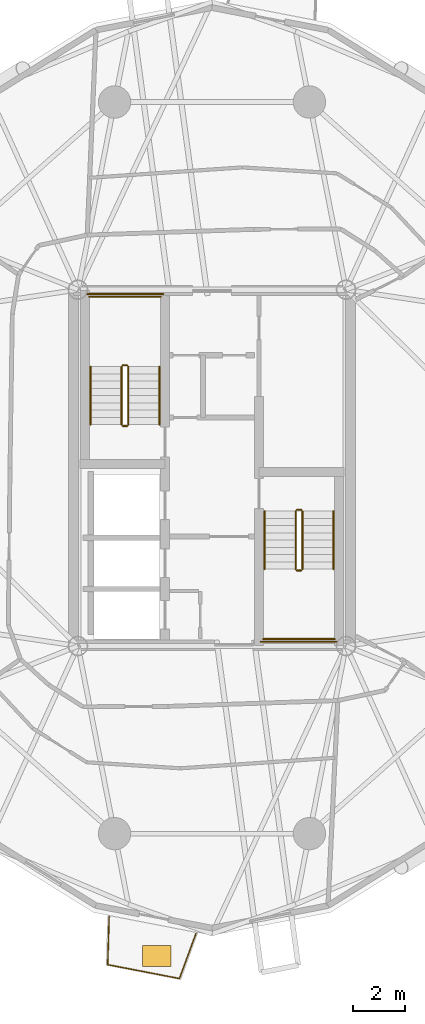
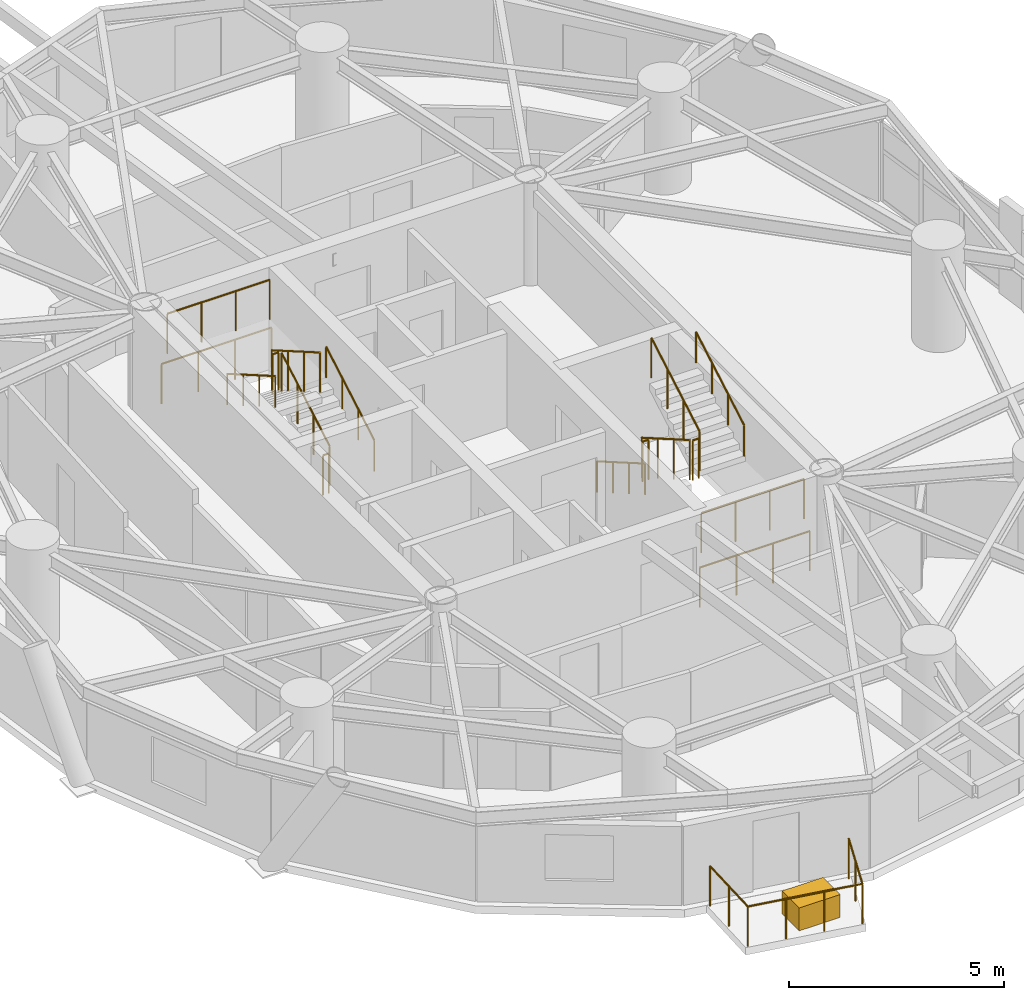
# One storey, part 17 of 19: 17 railings, 1 covering.
"""IFC4 building model written with IfcOpenShell, lengths in metres."""

from ifc_helpers import new_model, si_unit, direction, frame, origin, origin_2d, place, context, subcontext, project, spatial, rectangle, circle, extrude, source, transform, mapped, material, layer, layer_set, type_object, element, save


model = new_model("IFC4")

# Units and contexts
model_context = context("Model", 3, precision=1e-05, world=origin(), true_north=direction((0.0, 1.0)))
body_context = subcontext(model_context, "Body", "Model", "MODEL_VIEW")
ifc_project = project(units=[si_unit("LENGTHUNIT", "METRE"), si_unit("AREAUNIT", "SQUARE_METRE"), si_unit("VOLUMEUNIT", "CUBIC_METRE"), si_unit("PLANEANGLEUNIT", "RADIAN"), si_unit("MASSUNIT", "GRAM", prefix="KILO")], contexts=[model_context])

# Site, building, storey
site_placement = place(None, origin())
site = spatial("IfcSite", under=ifc_project, at=site_placement, CompositionType="ELEMENT")
building_placement = place(site_placement, origin())
building = spatial("IfcBuilding", under=site, at=building_placement, Name="Cununo Teusaquillo Station Towers", CompositionType="ELEMENT")
storey_placement = place(building_placement, frame((0.0, 0.0, 160.330078125)))
storey = spatial("IfcBuildingStorey", under=building, at=storey_placement, Name="L50", CompositionType="ELEMENT", Elevation=160.330078125)

# Railings
ifc_material_1 = material(Name="Anodised dark bronze aluminium EN AW-6063-T6", Category="aluminium")
railing_type_1 = type_object("IfcRailingType", Name="RL-EXT-GUARD", PredefinedType="GUARDRAIL", material=ifc_material_1)
railing_1_placement = place(storey_placement, frame((15.882568359375, 6.525390625, 0.0)))
element("IfcRailing", 1, at=railing_1_placement, inside=storey, type_object=railing_type_1, Name="L50 Tower A Balcony Guardrail C14", PredefinedType="GUARDRAIL", context=body_context, shape_type="SweptSolid", body=[
    extrude(circle(Radius=0.02392578125, at=origin_2d()), frame((0.0, 0.0, 1.1259765625), z_axis=(-0.344127190422, -0.938923040942, 0.0), x_axis=(0.938923040942, -0.344127190422, 0.0)), (0.0, 0.0, 1.0), 1.857421875),
    extrude(circle(Radius=0.02392578125, at=origin_2d()), frame((-0.63916015625, -1.743896484375, 1.1259765625), z_axis=(-0.981837596309, 0.18972331031, 0.0), x_axis=(-0.18972331031, -0.981837596309, 0.0)), (0.0, 0.0, 1.0), 2.822021484375),
    extrude(circle(Radius=0.02392578125, at=origin_2d()), frame((-3.409912109375, -1.20849609375, 1.1259765625), z_axis=(0.030492060761, 0.999535009007, 0.0), x_axis=(-0.999535009007, 0.030492060761, 0.0)), (0.0, 0.0, 1.0), 1.857666015625),
    extrude(circle(Radius=0.02099609375, at=origin_2d()), origin(), (0.0, 0.0, 1.0), 1.101806640625),
    extrude(circle(Radius=0.02099609375, at=origin_2d()), frame((-0.319580078125, -0.8720703125, 0.0)), (0.0, 0.0, 1.0), 1.101806640625),
    extrude(circle(Radius=0.02099609375, at=origin_2d()), frame((-0.63916015625, -1.743896484375, 0.0)), (0.0, 0.0, 1.0), 1.101806640625),
    extrude(circle(Radius=0.02099609375, at=origin_2d()), frame((-1.562744140625, -1.5654296875, 0.0)), (0.0, 0.0, 1.0), 1.101806640625),
    extrude(circle(Radius=0.02099609375, at=origin_2d()), frame((-2.486328125, -1.386962890625, 0.0)), (0.0, 0.0, 1.0), 1.101806640625),
    extrude(circle(Radius=0.02099609375, at=origin_2d()), frame((-3.409912109375, -1.20849609375, 0.0)), (0.0, 0.0, 1.0), 1.101806640625),
    extrude(circle(Radius=0.02099609375, at=origin_2d()), frame((-3.381591796875, -0.2802734375, 0.0)), (0.0, 0.0, 1.0), 1.101806640625),
    extrude(circle(Radius=0.02099609375, at=origin_2d()), frame((-3.353271484375, 0.648193359375, 0.0)), (0.0, 0.0, 1.0), 1.101806640625),
])
ifc_material_2 = material(Name="Steel EN 10025-2 S355J2", Category="steel")
railing_type_2 = type_object("IfcRailingType", Name="RL-INT-GUARD", PredefinedType="GUARDRAIL", material=ifc_material_2)
railing_2_placement = place(storey_placement, frame((13.27001953125, 26.169921875, 0.16162109375)))
element("IfcRailing", 2, at=railing_2_placement, inside=storey, type_object=railing_type_2, Name="L50 ST-T1-1 stair guard 1", PredefinedType="GUARDRAIL", context=body_context, shape_type="SweptSolid", body=[
    extrude(circle(Radius=0.02392578125, at=origin_2d()), frame((0.0, 0.0, 1.1259765625), z_axis=(0.0, 0.866033117094, 0.499986639918), x_axis=(-1.0, 0.0, 0.0)), (0.0, 0.0, 1.0), 2.58642578125),
    extrude(circle(Radius=0.02099609375, at=origin_2d()), origin(), (0.0, 0.0, 1.0), 1.101806640625),
    extrude(circle(Radius=0.02099609375, at=origin_2d()), frame((0.0, 0.74658203125, 0.43115234375)), (0.0, 0.0, 1.0), 1.101806640625),
    extrude(circle(Radius=0.02099609375, at=origin_2d()), frame((0.0, 1.493408203125, 0.862060546875)), (0.0, 0.0, 1.0), 1.101806640625),
    extrude(circle(Radius=0.02099609375, at=origin_2d()), frame((0.0, 2.239990234375, 1.293212890625)), (0.0, 0.0, 1.0), 1.101806640625),
])
railing_3_placement = place(storey_placement, frame((13.219970703125, 28.4599609375, 1.454833984375)))
element("IfcRailing", 3, at=railing_3_placement, inside=storey, type_object=railing_type_2, Name="L50 ST-T1-1 stair guard 2", PredefinedType="GUARDRAIL", context=body_context, shape_type="SweptSolid", body=[
    extrude(circle(Radius=0.02392578125, at=origin_2d()), frame((0.0, 0.0, 1.1259765625), z_axis=(-1.0, 0.0, 0.0), x_axis=(0.0, -1.0, 0.0)), (0.0, 0.0, 1.0), 0.159912109375),
    extrude(circle(Radius=0.02099609375, at=origin_2d()), origin(), (0.0, 0.0, 1.0), 1.101806640625),
    extrude(circle(Radius=0.02099609375, at=origin_2d()), frame((-0.159912109375, 0.0, 0.0)), (0.0, 0.0, 1.0), 1.101806640625),
])
railing_4_placement = place(storey_placement, frame((14.52001953125, 31.110107421875, 1.454833984375)))
element("IfcRailing", 4, at=railing_4_placement, inside=storey, type_object=railing_type_2, Name="L50 ST-T1-1 stair guard 3", PredefinedType="GUARDRAIL", context=body_context, shape_type="SweptSolid", body=[
    extrude(circle(Radius=0.02392578125, at=origin_2d()), frame((0.0, 0.0, 1.1259765625), z_axis=(-1.0, 0.0, 0.0), x_axis=(0.0, -1.0, 0.0)), (0.0, 0.0, 1.0), 2.760009765625),
    extrude(circle(Radius=0.02099609375, at=origin_2d()), origin(), (0.0, 0.0, 1.0), 1.101806640625),
    extrude(circle(Radius=0.02099609375, at=origin_2d()), frame((-0.919921875, 0.0, 0.0)), (0.0, 0.0, 1.0), 1.101806640625),
    extrude(circle(Radius=0.02099609375, at=origin_2d()), frame((-1.840087890625, 0.0, 0.0)), (0.0, 0.0, 1.0), 1.101806640625),
    extrude(circle(Radius=0.02099609375, at=origin_2d()), frame((-2.760009765625, 0.0, 0.0)), (0.0, 0.0, 1.0), 1.101806640625),
])
railing_5_placement = place(storey_placement, frame((13.010009765625, 28.409912109375, 1.61669921875)))
element("IfcRailing", 5, at=railing_5_placement, inside=storey, type_object=railing_type_2, Name="L50 ST-T1-1 stair guard 4", PredefinedType="GUARDRAIL", context=body_context, shape_type="SweptSolid", body=[
    extrude(circle(Radius=0.02392578125, at=origin_2d()), frame((0.0, 0.0, 1.1259765625), z_axis=(0.0, -0.866033117094, 0.499986639918), x_axis=(1.0, 0.0, 0.0)), (0.0, 0.0, 1.0), 2.58642578125),
    extrude(circle(Radius=0.02099609375, at=origin_2d()), origin(), (0.0, 0.0, 1.0), 1.101806640625),
    extrude(circle(Radius=0.02099609375, at=origin_2d()), frame((0.0, -0.74658203125, 0.43115234375)), (0.0, 0.0, 1.0), 1.101806640625),
    extrude(circle(Radius=0.02099609375, at=origin_2d()), frame((0.0, -1.493408203125, 0.862060546875)), (0.0, 0.0, 1.0), 1.101806640625),
    extrude(circle(Radius=0.02099609375, at=origin_2d()), frame((0.0, -2.239990234375, 1.293212890625)), (0.0, 0.0, 1.0), 1.101806640625),
])
railing_6_placement = place(storey_placement, frame((13.219970703125, 26.1201171875, 0.0)))
element("IfcRailing", 6, at=railing_6_placement, inside=storey, type_object=railing_type_2, Name="L50 ST-T1-1 stair guard 5", PredefinedType="GUARDRAIL", context=body_context, shape_type="SweptSolid", body=[
    extrude(circle(Radius=0.02392578125, at=origin_2d()), frame((0.0, 0.0, 1.1259765625), z_axis=(-1.0, 0.0, 0.0), x_axis=(0.0, -1.0, 0.0)), (0.0, 0.0, 1.0), 0.159912109375),
    extrude(circle(Radius=0.02099609375, at=origin_2d()), origin(), (0.0, 0.0, 1.0), 1.101806640625),
    extrude(circle(Radius=0.02099609375, at=origin_2d()), frame((-0.159912109375, 0.0, 0.0)), (0.0, 0.0, 1.0), 1.101806640625),
])
railing_7_placement = place(storey_placement, frame((14.6201171875, 31.2099609375, 0.0)))
element("IfcRailing", 7, at=railing_7_placement, inside=storey, type_object=railing_type_2, Name="L50 ST-T1-1 stair guard 6", PredefinedType="GUARDRAIL", context=body_context, shape_type="SweptSolid", body=[
    extrude(circle(Radius=0.02392578125, at=origin_2d()), frame((0.0, 0.0, 1.1259765625), z_axis=(-1.0, 0.0, 0.0), x_axis=(0.0, -1.0, 0.0)), (0.0, 0.0, 1.0), 2.960205078125),
    extrude(circle(Radius=0.02099609375, at=origin_2d()), origin(), (0.0, 0.0, 1.0), 1.101806640625),
    extrude(circle(Radius=0.02099609375, at=origin_2d()), frame((-0.98681640625, 0.0, 0.0)), (0.0, 0.0, 1.0), 1.101806640625),
    extrude(circle(Radius=0.02099609375, at=origin_2d()), frame((-1.973388671875, 0.0, 0.0)), (0.0, 0.0, 1.0), 1.101806640625),
    extrude(circle(Radius=0.02099609375, at=origin_2d()), frame((-2.960205078125, 0.0, 0.0)), (0.0, 0.0, 1.0), 1.101806640625),
])
railing_8_placement = place(storey_placement, frame((19.72998046875, 22.830078125, 0.16162109375)))
element("IfcRailing", 8, at=railing_8_placement, inside=storey, type_object=railing_type_2, Name="L50 ST-T1-2 stair guard 1", PredefinedType="GUARDRAIL", context=body_context, shape_type="SweptSolid", body=[
    extrude(circle(Radius=0.02392578125, at=origin_2d()), frame((0.0, 0.0, 1.1259765625), z_axis=(0.0, -0.866033117094, 0.499986639918), x_axis=(1.0, 0.0, 0.0)), (0.0, 0.0, 1.0), 2.58642578125),
    extrude(circle(Radius=0.02099609375, at=origin_2d()), origin(), (0.0, 0.0, 1.0), 1.101806640625),
    extrude(circle(Radius=0.02099609375, at=origin_2d()), frame((0.0, -0.74658203125, 0.43115234375)), (0.0, 0.0, 1.0), 1.101806640625),
    extrude(circle(Radius=0.02099609375, at=origin_2d()), frame((0.0, -1.493408203125, 0.862060546875)), (0.0, 0.0, 1.0), 1.101806640625),
    extrude(circle(Radius=0.02099609375, at=origin_2d()), frame((0.0, -2.239990234375, 1.293212890625)), (0.0, 0.0, 1.0), 1.101806640625),
])
railing_9_placement = place(storey_placement, frame((19.780029296875, 20.5400390625, 1.454833984375)))
element("IfcRailing", 9, at=railing_9_placement, inside=storey, type_object=railing_type_2, Name="L50 ST-T1-2 stair guard 2", PredefinedType="GUARDRAIL", context=body_context, shape_type="SweptSolid", body=[
    extrude(circle(Radius=0.02392578125, at=origin_2d()), frame((0.0, 0.0, 1.1259765625), z_axis=(1.0, 0.0, 0.0), x_axis=(0.0, 1.0, 0.0)), (0.0, 0.0, 1.0), 0.159912109375),
    extrude(circle(Radius=0.02099609375, at=origin_2d()), origin(), (0.0, 0.0, 1.0), 1.101806640625),
    extrude(circle(Radius=0.02099609375, at=origin_2d()), frame((0.159912109375, 0.0, 0.0)), (0.0, 0.0, 1.0), 1.101806640625),
])
railing_10_placement = place(storey_placement, frame((18.47998046875, 17.889892578125, 1.454833984375)))
element("IfcRailing", 10, at=railing_10_placement, inside=storey, type_object=railing_type_2, Name="L50 ST-T1-2 stair guard 3", PredefinedType="GUARDRAIL", context=body_context, shape_type="SweptSolid", body=[
    extrude(circle(Radius=0.02392578125, at=origin_2d()), frame((0.0, 0.0, 1.1259765625), z_axis=(1.0, 0.0, 0.0), x_axis=(0.0, 1.0, 0.0)), (0.0, 0.0, 1.0), 2.760009765625),
    extrude(circle(Radius=0.02099609375, at=origin_2d()), origin(), (0.0, 0.0, 1.0), 1.101806640625),
    extrude(circle(Radius=0.02099609375, at=origin_2d()), frame((0.919921875, 0.0, 0.0)), (0.0, 0.0, 1.0), 1.101806640625),
    extrude(circle(Radius=0.02099609375, at=origin_2d()), frame((1.840087890625, 0.0, 0.0)), (0.0, 0.0, 1.0), 1.101806640625),
    extrude(circle(Radius=0.02099609375, at=origin_2d()), frame((2.760009765625, 0.0, 0.0)), (0.0, 0.0, 1.0), 1.101806640625),
])
railing_11_placement = place(storey_placement, frame((19.989990234375, 20.590087890625, 1.61669921875)))
element("IfcRailing", 11, at=railing_11_placement, inside=storey, type_object=railing_type_2, Name="L50 ST-T1-2 stair guard 4", PredefinedType="GUARDRAIL", context=body_context, shape_type="SweptSolid", body=[
    extrude(circle(Radius=0.02392578125, at=origin_2d()), frame((0.0, 0.0, 1.1259765625), z_axis=(0.0, 0.866033117094, 0.499986639918), x_axis=(-1.0, 0.0, 0.0)), (0.0, 0.0, 1.0), 2.58642578125),
    extrude(circle(Radius=0.02099609375, at=origin_2d()), origin(), (0.0, 0.0, 1.0), 1.101806640625),
    extrude(circle(Radius=0.02099609375, at=origin_2d()), frame((0.0, 0.74658203125, 0.43115234375)), (0.0, 0.0, 1.0), 1.101806640625),
    extrude(circle(Radius=0.02099609375, at=origin_2d()), frame((0.0, 1.493408203125, 0.862060546875)), (0.0, 0.0, 1.0), 1.101806640625),
    extrude(circle(Radius=0.02099609375, at=origin_2d()), frame((0.0, 2.239990234375, 1.293212890625)), (0.0, 0.0, 1.0), 1.101806640625),
])
railing_12_placement = place(storey_placement, frame((19.780029296875, 22.8798828125, 0.0)))
element("IfcRailing", 12, at=railing_12_placement, inside=storey, type_object=railing_type_2, Name="L50 ST-T1-2 stair guard 5", PredefinedType="GUARDRAIL", context=body_context, shape_type="SweptSolid", body=[
    extrude(circle(Radius=0.02392578125, at=origin_2d()), frame((0.0, 0.0, 1.1259765625), z_axis=(1.0, 0.0, 0.0), x_axis=(0.0, 1.0, 0.0)), (0.0, 0.0, 1.0), 0.159912109375),
    extrude(circle(Radius=0.02099609375, at=origin_2d()), origin(), (0.0, 0.0, 1.0), 1.101806640625),
    extrude(circle(Radius=0.02099609375, at=origin_2d()), frame((0.159912109375, 0.0, 0.0)), (0.0, 0.0, 1.0), 1.101806640625),
])
railing_13_placement = place(storey_placement, frame((18.3798828125, 17.7900390625, 0.0)))
element("IfcRailing", 13, at=railing_13_placement, inside=storey, type_object=railing_type_2, Name="L50 ST-T1-2 stair guard 6", PredefinedType="GUARDRAIL", context=body_context, shape_type="SweptSolid", body=[
    extrude(circle(Radius=0.02392578125, at=origin_2d()), frame((0.0, 0.0, 1.1259765625), z_axis=(1.0, 0.0, 0.0), x_axis=(0.0, 1.0, 0.0)), (0.0, 0.0, 1.0), 2.960205078125),
    extrude(circle(Radius=0.02099609375, at=origin_2d()), origin(), (0.0, 0.0, 1.0), 1.101806640625),
    extrude(circle(Radius=0.02099609375, at=origin_2d()), frame((0.98681640625, 0.0, 0.0)), (0.0, 0.0, 1.0), 1.101806640625),
    extrude(circle(Radius=0.02099609375, at=origin_2d()), frame((1.973388671875, 0.0, 0.0)), (0.0, 0.0, 1.0), 1.101806640625),
    extrude(circle(Radius=0.02099609375, at=origin_2d()), frame((2.960205078125, 0.0, 0.0)), (0.0, 0.0, 1.0), 1.101806640625),
])
ifc_material_3 = material(Name="Steel EN 10025-2 S355J2", Category="steel")
railing_type_3 = type_object("IfcRailingType", Name="RL-INT-HRAIL", PredefinedType="HANDRAIL", material=ifc_material_3)
railing_14_placement = place(storey_placement, frame((14.469970703125, 26.169921875, 0.16162109375)))
element("IfcRailing", 14, at=railing_14_placement, inside=storey, type_object=railing_type_3, Name="L50 ST-T1-1 stair handrail 1", PredefinedType="HANDRAIL", context=body_context, shape_type="SweptSolid", body=[
    extrude(circle(Radius=0.02392578125, at=origin_2d()), frame((0.0, 0.0, 0.8759765625), z_axis=(0.0, 0.866033117094, 0.499986639918), x_axis=(-1.0, 0.0, 0.0)), (0.0, 0.0, 1.0), 2.58642578125),
    extrude(circle(Radius=0.02099609375, at=origin_2d()), origin(), (0.0, 0.0, 1.0), 0.851806640625),
    extrude(circle(Radius=0.02099609375, at=origin_2d()), frame((0.0, 0.74658203125, 0.43115234375)), (0.0, 0.0, 1.0), 0.851806640625),
    extrude(circle(Radius=0.02099609375, at=origin_2d()), frame((0.0, 1.493408203125, 0.862060546875)), (0.0, 0.0, 1.0), 0.851806640625),
    extrude(circle(Radius=0.02099609375, at=origin_2d()), frame((0.0, 2.239990234375, 1.293212890625)), (0.0, 0.0, 1.0), 0.851806640625),
])
for number, where, name in (
    (15, (11.81005859375, 28.409912109375, 1.61669921875), "L50 ST-T1-1 stair handrail 2"),
    (16, (18.530029296875, 22.830078125, 0.16162109375), "L50 ST-T1-2 stair handrail 1"),
):
    element("IfcRailing", number, at=place(storey_placement, frame(where)), inside=storey, type_object=railing_type_3, Name=name, PredefinedType="HANDRAIL", context=body_context, shape_type="SweptSolid", body=[
        extrude(circle(Radius=0.02392578125, at=origin_2d()), frame((0.0, 0.0, 0.8759765625), z_axis=(0.0, -0.866033117094, 0.499986639918), x_axis=(1.0, 0.0, 0.0)), (0.0, 0.0, 1.0), 2.58642578125),
        extrude(circle(Radius=0.02099609375, at=origin_2d()), origin(), (0.0, 0.0, 1.0), 0.851806640625),
        extrude(circle(Radius=0.02099609375, at=origin_2d()), frame((0.0, -0.74658203125, 0.43115234375)), (0.0, 0.0, 1.0), 0.851806640625),
        extrude(circle(Radius=0.02099609375, at=origin_2d()), frame((0.0, -1.493408203125, 0.862060546875)), (0.0, 0.0, 1.0), 0.851806640625),
        extrude(circle(Radius=0.02099609375, at=origin_2d()), frame((0.0, -2.239990234375, 1.293212890625)), (0.0, 0.0, 1.0), 0.851806640625),
    ])
railing_15_placement = place(storey_placement, frame((21.18994140625, 20.590087890625, 1.61669921875)))
element("IfcRailing", 17, at=railing_15_placement, inside=storey, type_object=railing_type_3, Name="L50 ST-T1-2 stair handrail 2", PredefinedType="HANDRAIL", context=body_context, shape_type="SweptSolid", body=[
    extrude(circle(Radius=0.02392578125, at=origin_2d()), frame((0.0, 0.0, 0.8759765625), z_axis=(0.0, 0.866033117094, 0.499986639918), x_axis=(-1.0, 0.0, 0.0)), (0.0, 0.0, 1.0), 2.58642578125),
    extrude(circle(Radius=0.02099609375, at=origin_2d()), origin(), (0.0, 0.0, 1.0), 0.851806640625),
    extrude(circle(Radius=0.02099609375, at=origin_2d()), frame((0.0, 0.74658203125, 0.43115234375)), (0.0, 0.0, 1.0), 0.851806640625),
    extrude(circle(Radius=0.02099609375, at=origin_2d()), frame((0.0, 1.493408203125, 0.862060546875)), (0.0, 0.0, 1.0), 0.851806640625),
    extrude(circle(Radius=0.02099609375, at=origin_2d()), frame((0.0, 2.239990234375, 1.293212890625)), (0.0, 0.0, 1.0), 0.851806640625),
])

# Covering
ifc_material_4 = material(Name="Architectural GRC planter shell and engineered root-zone substrate", Category="concrete")
ifc_layer = layer(ifc_material_4, 0.64990234375)
ifc_layer_set = layer_set([ifc_layer], Name="Architectural GRC planter shell and engineered root-zone substrate")
covering_type = type_object("IfcCoveringType", Name="COV-TREE-PLANTER", PredefinedType="CLADDING", material=ifc_layer_set)
shared_shape = source(origin(), body_context, "Body", "SweptSolid", [
    extrude(rectangle(XDim=1.10009765625, YDim=0.800048828125, at=origin_2d()), origin(), (0.0, 0.0, 1.0), 0.64990234375),
])
covering_placement = place(storey_placement, frame((14.366943359375, 5.653564453125, 0.0), z_axis=(0.0, 0.0, 1.0), x_axis=(1.0, 0.0, 0.0)))
element("IfcCovering", 18, at=covering_placement, inside=storey, type_object=covering_type, Name="L50 Tower A Balcony Tree PLANTER C14", PredefinedType="CLADDING", context=body_context, shape_type="MappedRepresentation", body=[
    mapped(shared_shape, transform((0.0, 0.0, 0.0), x_axis=(1.0, 0.0, 0.0), y_axis=(0.0, 1.0, 0.0), z_axis=(0.0, 0.0, 1.0), scale=1.0)),
])

save(model, "model.ifc")
